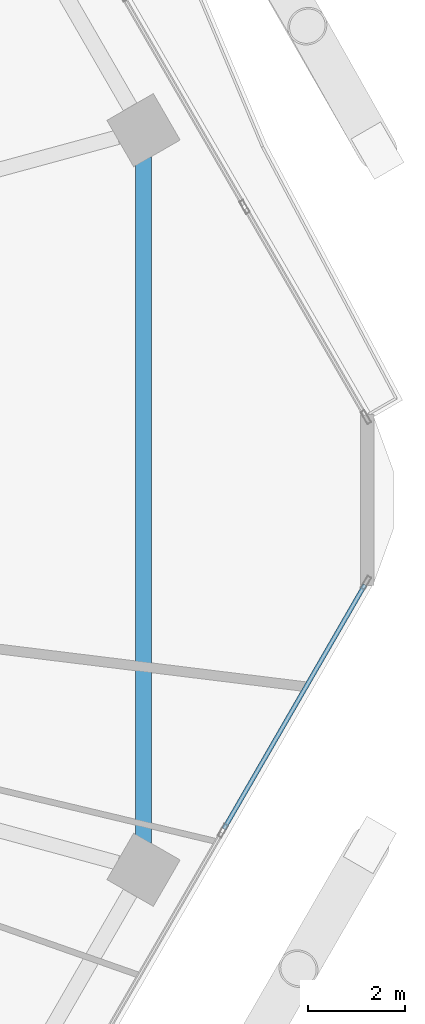
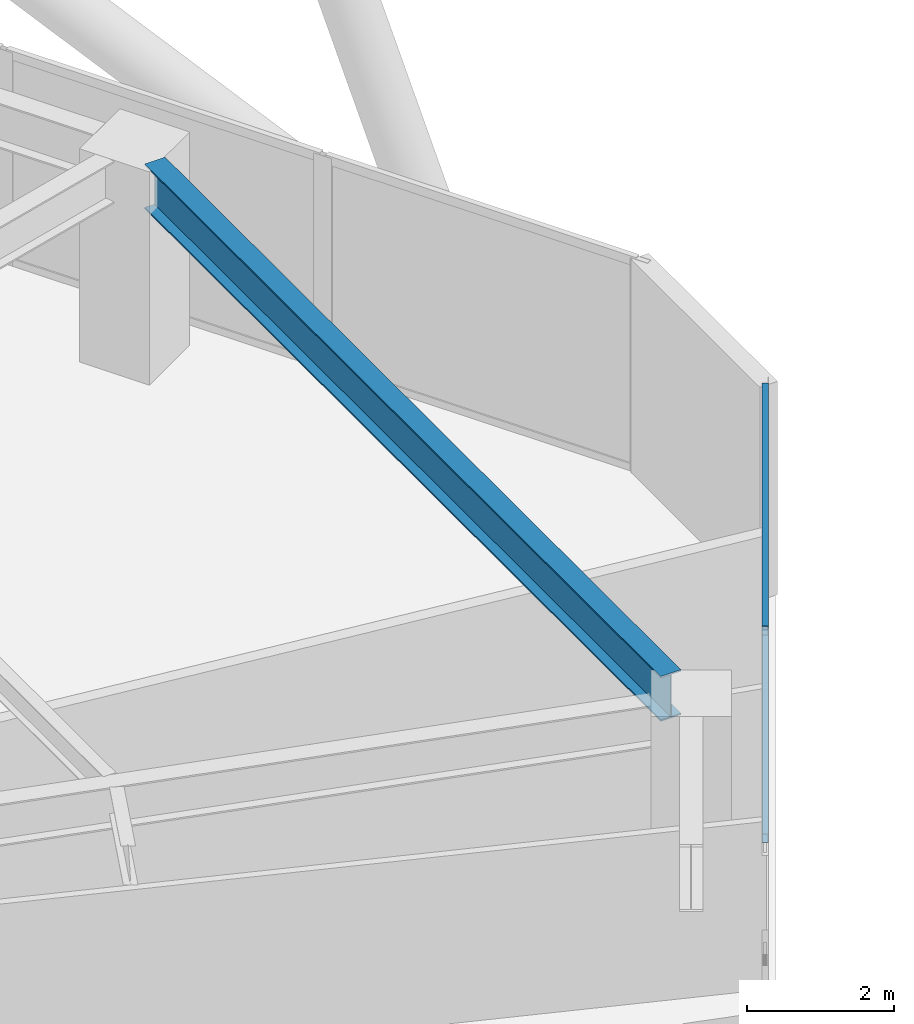
# One storey, part 12 of 35: 2 members, 1 beam, 1 element without a shape of its own.
"""IFC4 building model written with IfcOpenShell, lengths in metres."""

from ifc_helpers import new_model, si_unit, direction, frame, origin, origin_2d, place, context, subcontext, project, spatial, hollow_rectangle, i_section, extrude, material, material_profile, profile_set, type_object, element, aggregate, save


model = new_model("IFC4")

# Units and contexts
model_context = context("Model", 3, precision=1e-05, world=origin(), true_north=direction((0.0, 1.0)))
body_context = subcontext(model_context, "Body", "Model", "MODEL_VIEW")
ifc_project = project(units=[si_unit("LENGTHUNIT", "METRE"), si_unit("AREAUNIT", "SQUARE_METRE"), si_unit("VOLUMEUNIT", "CUBIC_METRE"), si_unit("PLANEANGLEUNIT", "RADIAN"), si_unit("MASSUNIT", "GRAM", prefix="KILO")], contexts=[model_context])

# Site, building, storey
site_placement = place(None, origin())
site = spatial("IfcSite", under=ifc_project, at=site_placement, CompositionType="ELEMENT")
building_placement = place(site_placement, origin())
building = spatial("IfcBuilding", under=site, at=building_placement, Name="Zuhravey Tower", CompositionType="ELEMENT")
storey_placement = place(building_placement, frame((0.0, 0.0, 122.800048828125)))
storey = spatial("IfcBuildingStorey", under=building, at=storey_placement, Name="L30", CompositionType="ELEMENT", Elevation=122.800048828125)

# Curtain wall, members
ifc_material_1 = material(Name="Thermally broken anodised aluminium", Category="aluminium")
curtain_wall_type = type_object("IfcCurtainWallType", Name="Zone 1-2 Residential Curtain Wall CW3", PredefinedType="NOTDEFINED", material=ifc_material_1)
curtain_wall_placement = place(storey_placement, origin())
curtain_wall = element("IfcCurtainWall", 1, at=curtain_wall_placement, inside=storey, type_object=curtain_wall_type, Name="L30 CW3 CW-L30-F6-1", PredefinedType="NOTDEFINED")
ifc_material_2 = material(Name="Anodised aluminium", Category="aluminium")
ifc_material_profile_1 = material_profile(ifc_material_2, hollow_rectangle(XDim=0.090087890625, YDim=0.14990234375, WallThickness=0.0048828125, at=origin_2d()), Name="ALU-RHS-90x150x5")
ifc_profile_set_1 = profile_set([ifc_material_profile_1], Name="Anodised aluminium")
member_type = type_object("IfcMemberType", Name="Curtain-Wall Transom 90x150", PredefinedType="USERDEFINED", material=ifc_profile_set_1)
member_1_placement = place(storey_placement, frame((68.43359375, 30.259521484375, 0.044921875), z_axis=(-0.500024450573, -0.866011286779, 0.0), x_axis=(0.866011286779, -0.500024450573, 0.0)))
member_1 = element("IfcMember", 2, at=member_1_placement, type_object=member_type, Name="CW3 transom 1.1", ObjectType="TRANSOM", PredefinedType="USERDEFINED", context=body_context, shape_type="SweptSolid", body=[
    extrude(hollow_rectangle(XDim=0.090087890625, YDim=0.14990234375, WallThickness=0.0048828125, at=origin_2d()), origin(), (0.0, 0.0, 1.0), 5.784912109375),
])
member_2_placement = place(storey_placement, frame((68.43359375, 30.259521484375, 3.5048828125), z_axis=(-0.500024450573, -0.866011286779, 0.0), x_axis=(0.866011286779, -0.500024450573, 0.0)))
member_2 = element("IfcMember", 3, at=member_2_placement, type_object=member_type, Name="CW3 transom 1.2", ObjectType="TRANSOM", PredefinedType="USERDEFINED", context=body_context, shape_type="SweptSolid", body=[
    extrude(hollow_rectangle(XDim=0.090087890625, YDim=0.14990234375, WallThickness=0.0048828125, at=origin_2d()), origin(), (0.0, 0.0, 1.0), 5.784912109375),
])
aggregate(curtain_wall, [member_1, member_2])

# Beam
ifc_material_3 = material(Name="Steel SM355", Category="steel")
ifc_material_profile_2 = material_profile(ifc_material_3, i_section(OverallWidth=0.320068359375, OverallDepth=0.75, WebThickness=0.013916015625, FlangeThickness=0.02490234375, at=origin_2d()), Name="H-750x320x14x25")
ifc_profile_set_2 = profile_set([ifc_material_profile_2], Name="Steel SM355")
beam_type = type_object("IfcBeamType", Name="Perimeter Ring Beam H750x320", PredefinedType="BEAM", material=ifc_profile_set_2)
beam_placement = place(storey_placement, frame((63.88916015625, 24.96142578125, 3.175048828125), z_axis=(0.0, 1.0, 0.0), x_axis=(-1.0, 0.0, 0.0)))
element("IfcBeam", 4, at=beam_placement, inside=storey, type_object=beam_type, Name="L30 PB1 BM-L30-PB-12", PredefinedType="BEAM", context=body_context, shape_type="SweptSolid", body=[
    extrude(i_section(OverallWidth=0.320068359375, OverallDepth=0.75, WebThickness=0.013916015625, FlangeThickness=0.02490234375, at=origin_2d()), origin(), (0.0, 0.0, 1.0), 14.0771484375),
])

save(model, "model.ifc")
